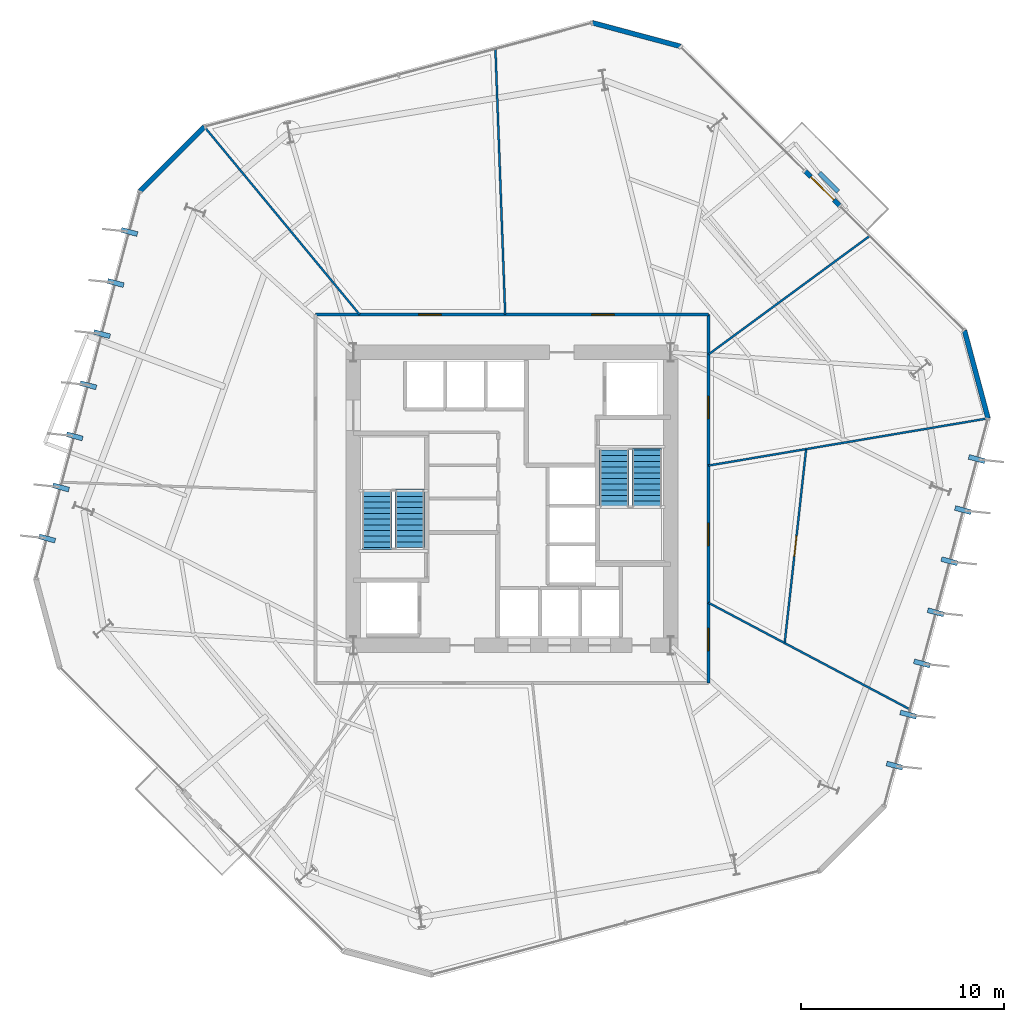
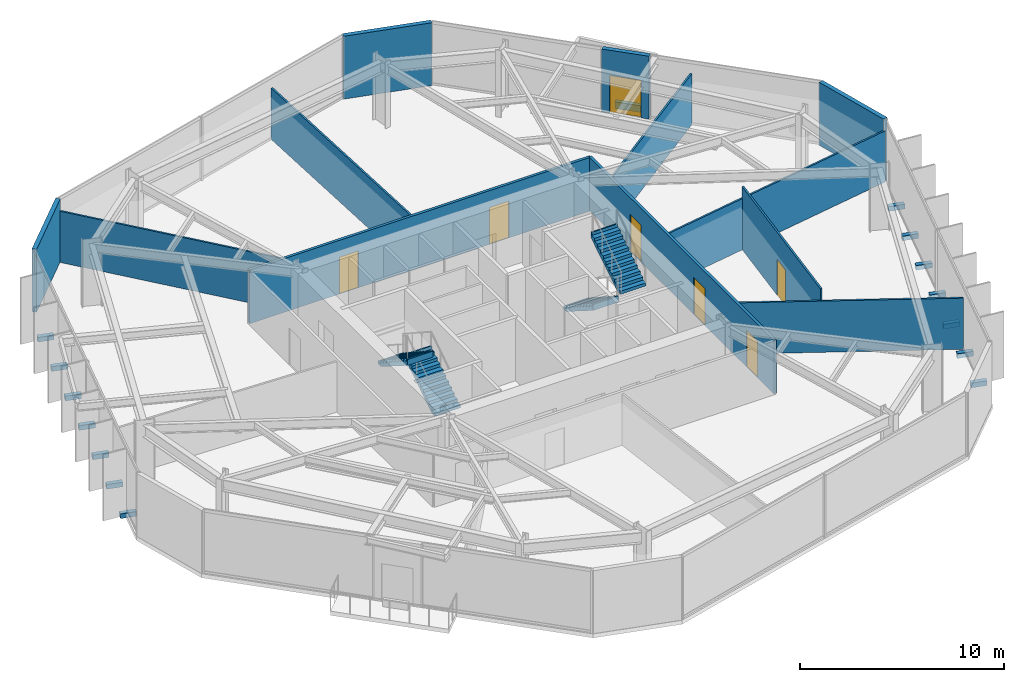
# One storey, part 7 of 10: 14 discrete accessories, 13 walls, 7 doors, 4 stair flights, 7 openings, 2 elements without a shape of their own.
"""IFC4 building model written with IfcOpenShell, lengths in metres."""

import ifcopenshell
import ifcopenshell.guid

model = None  # the IFC model being written
_history = None  # IfcOwnerHistory: only IFC2X3 demands one
_inside = {}  # id of a spatial element -> (the spatial element, [elements in it])
_under = {}  # id of a project, library or spatial element -> (it, [spatial elements below it])
_declared = {}  # id of a project -> (the project, [libraries it declares])
_typed = {}  # id of a type object -> (the type object, [elements of that type])
_made_of = {}  # id of a material, layer set ... -> (it, [elements and type objects made of it])


def new_model(schema):
    """Start an empty IFC model of exactly this schema.

    Asked for "IFC4X3", IfcOpenShell would pick the latest addendum, in which some entities
    have other attributes; the version numbers below select the first issue.
    IFC2X3 requires an IfcOwnerHistory on every rooted entity: one is made here for all.
    """
    global model, _history
    if schema == "IFC4X3":
        model = ifcopenshell.file(schema_version=(4, 3, 0, 0))
    else:
        model = ifcopenshell.file(schema=schema)
    _inside.clear()
    _under.clear()
    _declared.clear()
    _typed.clear()
    _made_of.clear()
    _history = None
    if model.schema == "IFC2X3":
        org = make("IfcOrganization", Name="unknown")
        user = make(
            "IfcPersonAndOrganization",
            ThePerson=make("IfcPerson", FamilyName="unknown"),
            TheOrganization=org,
        )
        app = make(
            "IfcApplication",
            ApplicationDeveloper=org,
            Version="unknown",
            ApplicationFullName="unknown",
            ApplicationIdentifier="unknown",
        )
        _history = make(
            "IfcOwnerHistory",
            OwningUser=user,
            OwningApplication=app,
            ChangeAction="ADDED",
            CreationDate=0,
        )
    return model


def make(cls, **values):
    """One entity of the class cls with the attributes given. An attribute that is None is left unset."""
    return model.create_entity(
        cls, **{name: value for name, value in values.items() if value is not None}
    )


def rooted(cls, **values):
    """An entity with a GlobalId (a new one), such as an element, a storey or a relation."""
    return make(cls, GlobalId=ifcopenshell.guid.new(), OwnerHistory=_history, **values)


def si_unit(unit_type, name, prefix=None):
    """IfcSIUnit, for example si_unit("LENGTHUNIT", "METRE", prefix="MILLI")."""
    return make("IfcSIUnit", UnitType=unit_type, Prefix=prefix, Name=name)


def assignment(units):
    """IfcUnitAssignment: the units of a project."""
    return None if units is None else make("IfcUnitAssignment", Units=units)


def point(xyz):
    """IfcCartesianPoint."""
    return None if xyz is None else make("IfcCartesianPoint", Coordinates=xyz)


def direction(xyz):
    """IfcDirection."""
    return None if xyz is None else make("IfcDirection", DirectionRatios=xyz)


def frame(location, z_axis=None, x_axis=None):
    """IfcAxis2Placement3D, a coordinate frame: its origin and axes. An axis left out is left unset."""
    return make(
        "IfcAxis2Placement3D",
        Location=point(location),
        Axis=direction(z_axis),
        RefDirection=direction(x_axis),
    )


def frame_2d(location, x_axis=None):
    """IfcAxis2Placement2D, a coordinate frame in the plane: its origin and x axis."""
    return make(
        "IfcAxis2Placement2D", Location=point(location), RefDirection=direction(x_axis)
    )


def origin():
    """The frame at (0, 0, 0) with its axes left unset."""
    return frame((0.0, 0.0, 0.0))


def origin_2d():
    """The frame at (0, 0) in the plane with its x axis left unset."""
    return frame_2d((0.0, 0.0))


def place(relative_to, where):
    """IfcLocalPlacement: puts the frame where relative to a parent placement (None: the world)."""
    return make(
        "IfcLocalPlacement", PlacementRelTo=relative_to, RelativePlacement=where
    )


def context(
    kind, dimensions, precision=None, world=None, true_north=None, identifier=None
):
    """IfcGeometricRepresentationContext, for example the 3D "Model" context."""
    return make(
        "IfcGeometricRepresentationContext",
        ContextIdentifier=identifier,
        ContextType=kind,
        CoordinateSpaceDimension=dimensions,
        Precision=precision,
        WorldCoordinateSystem=world,
        TrueNorth=true_north,
    )


def subcontext(parent, identifier, kind, view, scale=None):
    """IfcGeometricRepresentationSubContext, for example "Body" below "Model"."""
    return make(
        "IfcGeometricRepresentationSubContext",
        ContextIdentifier=identifier,
        ContextType=kind,
        ParentContext=parent,
        TargetScale=scale,
        TargetView=view,
    )


def project(units=None, contexts=None):
    """IfcProject with its units and contexts."""
    return rooted(
        "IfcProject",
        Name="project",
        RepresentationContexts=contexts,
        UnitsInContext=assignment(units),
    )


def spatial(cls, under=None, at=None, **own):
    """A site, building, storey or space (cls), placed at a placement, below another one or the project."""
    s = rooted(cls, ObjectPlacement=at, **own)
    if under is not None:
        _under.setdefault(under.id(), (under, []))[1].append(s)
    return s


def polyline(points):
    """IfcPolyline through the points."""
    return make("IfcPolyline", Points=[point(p) for p in points])


def profile(cls, at=None, kind="AREA", **sizes):
    """A parametric profile (cls). Its sizes go by their IFC names, for example OverallWidth=200.0."""
    return make(cls, ProfileType=kind, Position=at, **sizes)


def rectangle(**sizes):
    """IfcRectangleProfileDef."""
    return profile("IfcRectangleProfileDef", **sizes)


def outline(outer, holes=None, kind="AREA"):
    """IfcArbitraryClosedProfileDef: a profile drawn as a closed curve; with holes, ...WithVoids."""
    if holes is None:
        return make("IfcArbitraryClosedProfileDef", ProfileType=kind, OuterCurve=outer)
    return make(
        "IfcArbitraryProfileDefWithVoids",
        ProfileType=kind,
        OuterCurve=outer,
        InnerCurves=holes,
    )


def extrude(swept, where, along, depth):
    """IfcExtrudedAreaSolid: the profile swept, set in the frame where, extruded along a direction by depth."""
    return make(
        "IfcExtrudedAreaSolid",
        SweptArea=swept,
        Position=where,
        ExtrudedDirection=direction(along),
        Depth=depth,
    )


def shape(context_of_items, identifier, shape_type, items):
    """IfcShapeRepresentation: the items that make up one representation, for example the "Body"."""
    return make(
        "IfcShapeRepresentation",
        ContextOfItems=context_of_items,
        RepresentationIdentifier=identifier,
        RepresentationType=shape_type,
        Items=items,
    )


def material(Name=None, Category=None):
    """IfcMaterial."""
    return make("IfcMaterial", Name=Name, Category=Category)


def layer(
    of_material, thickness, ventilated=None, Name=None, Category=None, Priority=None
):
    """IfcMaterialLayer: one layer of a wall or slab, of a material (None: an air gap)."""
    return make(
        "IfcMaterialLayer",
        Material=of_material,
        LayerThickness=thickness,
        IsVentilated=ventilated,
        Name=Name,
        Category=Category,
        Priority=Priority,
    )


def layer_set(layers, Name=None):
    """IfcMaterialLayerSet."""
    return make("IfcMaterialLayerSet", MaterialLayers=layers, LayerSetName=Name)


def made_of(thing, what):
    """Note that an element or type object is made of a material, layer set ...; save() writes the relation."""
    if what is not None:
        _made_of.setdefault(what.id(), (what, []))[1].append(thing)
    return thing


def type_object(cls, material=None, **own):
    """A type object (cls), such as IfcWallType, which elements share."""
    return made_of(rooted(cls, **own), material)


def element(
    cls,
    number,
    at=None,
    inside=None,
    cuts=None,
    type_object=None,
    material=None,
    context=None,
    identifier="Body",
    shape_type=None,
    held_by="IfcProductDefinitionShape",
    body=None,
    shapes=None,
    **own,
):
    """One element of the class cls, such as IfcWall. Its Tag is "e" and its number.

    at: its placement. inside: the storey or other place that contains it. cuts: it is an
    opening in that element (IfcRelVoidsElement). A single representation is given by context,
    identifier, shape_type and body (its items); several are given by shapes. held_by: the class
    of the entity that holds the representations. save() writes the other relations.
    """
    e = rooted(cls, Tag="e%d" % number, ObjectPlacement=at, **own)
    if body is not None:
        shapes = [shape(context, identifier, shape_type, body)]
    if shapes is not None:
        e.Representation = make(held_by, Representations=shapes)
    if inside is not None:
        _inside.setdefault(inside.id(), (inside, []))[1].append(e)
    if cuts is not None:
        rooted(
            "IfcRelVoidsElement", RelatingBuildingElement=cuts, RelatedOpeningElement=e
        )
    if type_object is not None:
        _typed.setdefault(type_object.id(), (type_object, []))[1].append(e)
    return made_of(e, material)


def fill(opening, filler):
    """IfcRelFillsElement: the door or window that sits in an opening."""
    return rooted(
        "IfcRelFillsElement",
        RelatingOpeningElement=opening,
        RelatedBuildingElement=filler,
    )


def aggregate(whole, parts):
    """IfcRelAggregates: a whole, such as a stair, and the parts it consists of."""
    return rooted("IfcRelAggregates", RelatingObject=whole, RelatedObjects=parts)


def save(model, path):
    """Write the relations noted so far, then the file.

    IfcRelAggregates (storeys below a building ...), IfcRelContainedInSpatialStructure (elements
    in a storey), IfcRelDefinesByType, IfcRelAssociatesMaterial and IfcRelDeclares: one each for
    every whole, place, type object, material and project.
    """
    for whole, parts in _under.values():
        aggregate(whole, parts)
    for where, things in _inside.values():
        rooted(
            "IfcRelContainedInSpatialStructure",
            RelatedElements=things,
            RelatingStructure=where,
        )
    for kind, things in _typed.values():
        rooted("IfcRelDefinesByType", RelatedObjects=things, RelatingType=kind)
    for what, things in _made_of.values():
        rooted("IfcRelAssociatesMaterial", RelatedObjects=things, RelatingMaterial=what)
    for by, libraries in _declared.values():
        rooted("IfcRelDeclares", RelatingContext=by, RelatedDefinitions=libraries)
    model.write(path)


model = new_model("IFC4")

# Units and contexts
model_context = context("Model", 3, precision=1e-05, world=origin(), true_north=direction((0.0, 1.0)))
body_context = subcontext(model_context, "Body", "Model", "MODEL_VIEW")
ifc_project = project(units=[si_unit("LENGTHUNIT", "METRE"), si_unit("AREAUNIT", "SQUARE_METRE"), si_unit("VOLUMEUNIT", "CUBIC_METRE"), si_unit("PLANEANGLEUNIT", "RADIAN"), si_unit("MASSUNIT", "GRAM", prefix="KILO")], contexts=[model_context])

# Site, building, storey
site_placement = place(None, origin())
site = spatial("IfcSite", under=ifc_project, at=site_placement, CompositionType="ELEMENT")
building_placement = place(site_placement, origin())
building = spatial("IfcBuilding", under=site, at=building_placement, Name="Kranzbogen Civic Tower", CompositionType="ELEMENT")
storey_placement = place(building_placement, frame((0.0, 0.0, 80.0)))
storey = spatial("IfcBuildingStorey", under=building, at=storey_placement, Name="L19", CompositionType="ELEMENT", Elevation=80.0)

# Wall, openings, doors
ifc_material_1 = material(Name="Double-Stud Acoustic Gypsum Partition")
ifc_layer_1 = layer(ifc_material_1, 0.14990234375, Name="Double-Stud Acoustic Gypsum Partition")
ifc_layer_set_1 = layer_set([ifc_layer_1], Name="Double-Stud Acoustic Gypsum Partition")
wall_type_1 = type_object("IfcWallType", Name="Acoustic Corridor and Clinical Partition 150 mm", PredefinedType="PARTITIONING", material=ifc_layer_set_1)
wall_1_placement = place(storey_placement, frame((15.35009765625, 34.050048828125, 0.0), z_axis=(0.0, 0.0, 1.0), x_axis=(1.0, 0.0, 0.0)))
wall_1 = element("IfcWall", 1, at=wall_1_placement, inside=storey, type_object=wall_type_1, Name="L19 corridor partition 01", PredefinedType="PARTITIONING", context=body_context, shape_type="SweptSolid", body=[
    extrude(rectangle(XDim=19.2998046875, YDim=0.14990234375, at=frame_2d((9.64990234375, 0.0))), origin(), (0.0, 0.0, 1.0), 3.2099609375),
])
opening_1_placement = place(wall_1_placement, frame((13.572998046875, 0.0, 0.0)))
opening_1 = element("IfcOpeningElement", 2, at=opening_1_placement, cuts=wall_1, Name="Opening D-COR60", PredefinedType="OPENING", context=body_context, shape_type="SweptSolid", body=[
    extrude(rectangle(XDim=1.10009765625, YDim=2.199951171875, at=frame_2d((0.550048828125, 1.10009765625))), frame((0.0, 0.0849609375, 0.0), z_axis=(0.0, -1.0, 0.0), x_axis=(1.0, 0.0, 0.0)), (0.0, 0.0, 1.0), 0.169921875),
])
opening_2_placement = place(wall_1_placement, frame((5.06591796875, 0.0, 0.0)))
opening_2 = element("IfcOpeningElement", 3, at=opening_2_placement, cuts=wall_1, Name="Opening D-COR60", PredefinedType="OPENING", context=body_context, shape_type="SweptSolid", body=[
    extrude(rectangle(XDim=1.10009765625, YDim=2.199951171875, at=frame_2d((0.550048828125, 1.10009765625))), frame((0.0, 0.0849609375, 0.0), z_axis=(0.0, -1.0, 0.0), x_axis=(1.0, 0.0, 0.0)), (0.0, 0.0, 1.0), 0.169921875),
])
ifc_material_2 = material(Name="Oak Timber and Fire Core", Category="wood")
door_type_1 = type_object("IfcDoorType", Name="Corridor Acoustic Fire Door 1100x2200", OperationType="NOTDEFINED", PredefinedType="DOOR", material=ifc_material_2)
door_1_placement = place(opening_1_placement, origin())
door_1 = element("IfcDoor", 4, at=door_1_placement, inside=storey, type_object=door_type_1, Name="L19 Executive Briefing Conference Room door", OperationType="SINGLE_SWING_LEFT", OverallHeight=2.199951171875, OverallWidth=1.10009765625, PredefinedType="DOOR", context=body_context, shape_type="SweptSolid", body=[
    extrude(rectangle(XDim=1.10009765625, YDim=2.199951171875, at=frame_2d((0.550048828125, 1.10009765625))), frame((0.0, 0.02490234375, 0.0), z_axis=(0.0, -1.0, 0.0), x_axis=(1.0, 0.0, 0.0)), (0.0, 0.0, 1.0), 0.050048828125),
])
fill(opening_1, door_1)
door_2_placement = place(opening_2_placement, origin())
door_2 = element("IfcDoor", 5, at=door_2_placement, inside=storey, type_object=door_type_1, Name="L19 Civic Reference Library door", OperationType="SINGLE_SWING_RIGHT", OverallHeight=2.199951171875, OverallWidth=1.10009765625, PredefinedType="DOOR", context=body_context, shape_type="SweptSolid", body=[
    extrude(rectangle(XDim=1.10009765625, YDim=2.199951171875, at=frame_2d((0.550048828125, 1.10009765625))), frame((0.0, 0.02490234375, 0.0), z_axis=(0.0, -1.0, 0.0), x_axis=(1.0, 0.0, 0.0)), (0.0, 0.0, 1.0), 0.050048828125),
])
fill(opening_2, door_2)

wall_2_placement = place(storey_placement, frame((34.64990234375, 34.050048828125, 0.0), z_axis=(0.0, 0.0, 1.0), x_axis=(0.0, -1.0, 0.0)))
wall_2 = element("IfcWall", 6, at=wall_2_placement, inside=storey, type_object=wall_type_1, Name="L19 corridor partition 02", PredefinedType="PARTITIONING", context=body_context, shape_type="SweptSolid", body=[
    extrude(rectangle(XDim=18.10009765625, YDim=0.14990234375, at=frame_2d((9.050048828125, 0.0))), origin(), (0.0, 0.0, 1.0), 3.2099609375),
])
opening_3_placement = place(wall_2_placement, frame((15.416015625, 0.0, 0.0)))
opening_3 = element("IfcOpeningElement", 7, at=opening_3_placement, cuts=wall_2, Name="Opening D-COR60", PredefinedType="OPENING", context=body_context, shape_type="SweptSolid", body=[
    extrude(rectangle(XDim=1.10009765625, YDim=2.199951171875, at=frame_2d((0.550048828125, 1.10009765625))), frame((0.0, 0.0849609375, 0.0), z_axis=(0.0, -1.0, 0.0), x_axis=(1.0, 0.0, 0.0)), (0.0, 0.0, 1.0), 0.169921875),
])
opening_4_placement = place(wall_2_placement, frame((10.2509765625, 0.0, 0.0)))
opening_4 = element("IfcOpeningElement", 8, at=opening_4_placement, cuts=wall_2, Name="Opening D-COR60", PredefinedType="OPENING", context=body_context, shape_type="SweptSolid", body=[
    extrude(rectangle(XDim=1.10009765625, YDim=2.199951171875, at=frame_2d((0.550048828125, 1.10009765625))), frame((0.0, 0.0849609375, 0.0), z_axis=(0.0, -1.0, 0.0), x_axis=(1.0, 0.0, 0.0)), (0.0, 0.0, 1.0), 0.169921875),
])
opening_5_placement = place(wall_2_placement, frame((4.013916015625, 0.0, 0.0)))
opening_5 = element("IfcOpeningElement", 9, at=opening_5_placement, cuts=wall_2, Name="Opening D-COR60", PredefinedType="OPENING", context=body_context, shape_type="SweptSolid", body=[
    extrude(rectangle(XDim=1.10009765625, YDim=2.199951171875, at=frame_2d((0.550048828125, 1.10009765625))), frame((0.0, 0.0849609375, 0.0), z_axis=(0.0, -1.0, 0.0), x_axis=(1.0, 0.0, 0.0)), (0.0, 0.0, 1.0), 0.169921875),
])
door_3_placement = place(opening_3_placement, origin())
door_3 = element("IfcDoor", 10, at=door_3_placement, inside=storey, type_object=door_type_1, Name="L19 Legal Counsel Office door", OperationType="SINGLE_SWING_LEFT", OverallHeight=2.199951171875, OverallWidth=1.10009765625, PredefinedType="DOOR", context=body_context, shape_type="SweptSolid", body=[
    extrude(rectangle(XDim=1.10009765625, YDim=2.199951171875, at=frame_2d((0.550048828125, 1.10009765625))), frame((0.0, 0.02490234375, 0.0), z_axis=(0.0, -1.0, 0.0), x_axis=(1.0, 0.0, 0.0)), (0.0, 0.0, 1.0), 0.050048828125),
])
fill(opening_3, door_3)
door_4_placement = place(opening_4_placement, origin())
door_4 = element("IfcDoor", 11, at=door_4_placement, inside=storey, type_object=door_type_1, Name="L19 Operations Security Control Room door", OperationType="SINGLE_SWING_RIGHT", OverallHeight=2.199951171875, OverallWidth=1.10009765625, PredefinedType="DOOR", context=body_context, shape_type="SweptSolid", body=[
    extrude(rectangle(XDim=1.10009765625, YDim=2.199951171875, at=frame_2d((0.550048828125, 1.10009765625))), frame((0.0, 0.02490234375, 0.0), z_axis=(0.0, -1.0, 0.0), x_axis=(1.0, 0.0, 0.0)), (0.0, 0.0, 1.0), 0.050048828125),
])
fill(opening_4, door_4)
door_5_placement = place(opening_5_placement, origin())
door_5 = element("IfcDoor", 12, at=door_5_placement, inside=storey, type_object=door_type_1, Name="L19 Duty Crew Control Room door", OperationType="SINGLE_SWING_RIGHT", OverallHeight=2.199951171875, OverallWidth=1.10009765625, PredefinedType="DOOR", context=body_context, shape_type="SweptSolid", body=[
    extrude(rectangle(XDim=1.10009765625, YDim=2.199951171875, at=frame_2d((0.550048828125, 1.10009765625))), frame((0.0, 0.02490234375, 0.0), z_axis=(0.0, -1.0, 0.0), x_axis=(1.0, 0.0, 0.0)), (0.0, 0.0, 1.0), 0.050048828125),
])
fill(opening_5, door_5)

# Walls
ifc_material_3 = material(Name="Architectural Precast Terracotta Concrete C40/50", Category="masonry")
ifc_layer_2 = layer(ifc_material_3, 0.219970703125, Name="Architectural Precast Terracotta Concrete C40/50")
ifc_layer_set_2 = layer_set([ifc_layer_2], Name="Architectural Precast Terracotta Concrete C40/50")
wall_type_2 = type_object("IfcWallType", Name="Architectural Tree Planter Kerb Wall 220 mm", PredefinedType="USERDEFINED", material=ifc_layer_set_2)
wall_3_placement = place(storey_placement, frame((41.02001953125, 40.10009765625, 0.0), z_axis=(0.0, 0.0, 1.0), x_axis=(-0.707106781187, 0.707106781187, 0.0)))
element("IfcWall", 13, at=wall_3_placement, inside=storey, type_object=wall_type_2, Name="L19 landscaped tree balcony planter L19-TB1", ObjectType="PLANTER_WALL", PredefinedType="USERDEFINED", context=body_context, shape_type="SweptSolid", body=[
    extrude(rectangle(XDim=1.301025390625, YDim=0.219970703125, at=frame_2d((0.650390625, 0.0))), origin(), (0.0, 0.0, 1.0), 0.39990234375),
])
ifc_material_4 = material(Name="Demountable Aluminium and Gypsum Partition", Category="aluminium")
ifc_layer_3 = layer(ifc_material_4, 0.10009765625, Name="Demountable Aluminium and Gypsum Partition")
ifc_layer_set_3 = layer_set([ifc_layer_3], Name="Demountable Aluminium and Gypsum Partition")
wall_type_3 = type_object("IfcWallType", Name="Demountable Office Partition 100 mm", PredefinedType="MOVABLE", material=ifc_layer_set_3)
wall_4_placement = place(storey_placement, frame((34.64990234375, 32.091064453125, 0.0), z_axis=(0.0, 0.0, 1.0), x_axis=(0.805812397502, 0.592170904412, 0.0)))
element("IfcWall", 14, at=wall_4_placement, inside=storey, type_object=wall_type_3, Name="L19 radial room partition 01", PredefinedType="MOVABLE", context=body_context, shape_type="SweptSolid", body=[
    extrude(rectangle(XDim=9.830078125, YDim=0.10009765625, at=frame_2d((4.9150390625, 0.0))), origin(), (0.0, 0.0, 1.0), 3.050048828125),
])
wall_5_placement = place(storey_placement, frame((24.666015625, 34.050048828125, 0.0), z_axis=(0.0, 0.0, 1.0), x_axis=(-0.03683875017, 0.999321222874, 0.0)))
element("IfcWall", 15, at=wall_5_placement, inside=storey, type_object=wall_type_3, Name="L19 radial room partition 02", PredefinedType="MOVABLE", context=body_context, shape_type="SweptSolid", body=[
    extrude(rectangle(XDim=13.0556640625, YDim=0.10009765625, at=frame_2d((6.52783203125, 0.0))), origin(), (0.0, 0.0, 1.0), 3.06005859375),
])
wall_6_placement = place(storey_placement, frame((17.51611328125, 34.050048828125, 0.0), z_axis=(0.0, 0.0, 1.0), x_axis=(-0.637278580746, 0.770633512457, 0.0)))
element("IfcWall", 16, at=wall_6_placement, inside=storey, type_object=wall_type_3, Name="L19 radial room partition 03", PredefinedType="MOVABLE", context=body_context, shape_type="SweptSolid", body=[
    extrude(rectangle(XDim=11.96044921875, YDim=0.10009765625, at=frame_2d((5.980224609375, 0.0))), origin(), (0.0, 0.0, 1.0), 3.06005859375),
])
wall_7_placement = place(storey_placement, frame((34.64990234375, 19.89306640625, 0.0), z_axis=(0.0, 0.0, 1.0), x_axis=(0.883895590045, -0.467684280149, 0.0)))
element("IfcWall", 17, at=wall_7_placement, inside=storey, type_object=wall_type_3, Name="L19 radial room partition 07", PredefinedType="MOVABLE", context=body_context, shape_type="SweptSolid", body=[
    extrude(rectangle(XDim=11.193603515625, YDim=0.10009765625, at=frame_2d((5.5966796875, 0.0))), origin(), (0.0, 0.0, 1.0), 3.06005859375),
])
wall_8_placement = place(storey_placement, frame((34.64990234375, 26.631103515625, 0.0), z_axis=(0.0, 0.0, 1.0), x_axis=(0.986036061015, 0.16653193801, 0.0)))
element("IfcWall", 18, at=wall_8_placement, inside=storey, type_object=wall_type_3, Name="L19 radial room partition 08", PredefinedType="MOVABLE", context=body_context, shape_type="SweptSolid", body=[
    extrude(rectangle(XDim=13.91845703125, YDim=0.10009765625, at=frame_2d((6.959228515625, 0.0))), origin(), (0.0, 0.0, 1.0), 3.06005859375),
])

# Wall, opening, door
wall_9_placement = place(storey_placement, frame((38.403076171875, 17.924072265625, 0.0), z_axis=(0.0, 0.0, 1.0), x_axis=(0.110030740607, 0.99392818459, 0.0)))
wall_9 = element("IfcWall", 19, at=wall_9_placement, inside=storey, type_object=wall_type_3, Name="L19 suite chord partition 01", PredefinedType="MOVABLE", context=body_context, shape_type="SweptSolid", body=[
    extrude(rectangle(XDim=9.56103515625, YDim=0.10009765625, at=frame_2d((4.780517578125, 0.0))), origin(), (0.0, 0.0, 1.0), 3.760009765625),
])
opening_6_placement = place(wall_9_placement, frame((4.281005859375, 0.0, 0.0)))
opening_6 = element("IfcOpeningElement", 20, at=opening_6_placement, cuts=wall_9, Name="Opening D-OFC10", PredefinedType="OPENING", context=body_context, shape_type="SweptSolid", body=[
    extrude(rectangle(XDim=1.0, YDim=2.14990234375, at=frame_2d((0.5, 1.074951171875))), frame((0.0, 0.06005859375, 0.0), z_axis=(0.0, -1.0, 0.0), x_axis=(1.0, 0.0, 0.0)), (0.0, 0.0, 1.0), 0.1201171875),
])
ifc_material_5 = material(Name="Oak Timber Veneer", Category="wood")
door_type_2 = type_object("IfcDoorType", Name="Standard Office Acoustic Door 1000x2150", OperationType="NOTDEFINED", PredefinedType="DOOR", material=ifc_material_5)
door_6_placement = place(opening_6_placement, origin())
door_6 = element("IfcDoor", 21, at=door_6_placement, inside=storey, type_object=door_type_2, Name="L19 Central Mail Post Room door", OperationType="SINGLE_SWING_LEFT", OverallHeight=2.14990234375, OverallWidth=1.0, PredefinedType="DOOR", context=body_context, shape_type="SweptSolid", body=[
    extrude(rectangle(XDim=1.0, YDim=2.14990234375, at=frame_2d((0.5, 1.074951171875))), frame((0.0, 0.02490234375, 0.0), z_axis=(0.0, -1.0, 0.0), x_axis=(1.0, 0.0, 0.0)), (0.0, 0.0, 1.0), 0.050048828125),
])
fill(opening_6, door_6)

ifc_material_6 = material(Name="Pale Anodised Aluminium", Category="aluminium")
ifc_layer_4 = layer(ifc_material_6, 0.239990234375, Name="Pale Anodised Aluminium")
ifc_layer_set_4 = layer_set([ifc_layer_4], Name="Pale Anodised Aluminium")
wall_type_4 = type_object("IfcWallType", Name="Insulated Aluminium Facade Portal Wall 240 mm", PredefinedType="STANDARD", material=ifc_layer_set_4)
wall_10_placement = place(storey_placement, frame((41.10302734375, 39.405029296875, 0.0), z_axis=(0.0, 0.0, 1.0), x_axis=(-0.707106781187, 0.707106781187, 0.0)))
wall_10 = element("IfcWall", 22, at=wall_10_placement, inside=storey, type_object=wall_type_4, Name="L19 exterior entrance portal wall 1", PredefinedType="STANDARD", context=body_context, shape_type="SweptSolid", body=[
    extrude(rectangle(XDim=2.4013671875, YDim=0.239990234375, at=frame_2d((1.20068359375, 0.0))), origin(), (0.0, 0.0, 1.0), 3.760009765625),
])
opening_7_placement = place(wall_10_placement, frame((0.39990234375, 0.0, 0.0)))
opening_7 = element("IfcOpeningElement", 23, at=opening_7_placement, cuts=wall_10, Name="Opening D-TER", PredefinedType="OPENING", context=body_context, shape_type="SweptSolid", body=[
    extrude(rectangle(XDim=1.60009765625, YDim=2.25, at=frame_2d((0.800048828125, 1.125))), frame((0.0, 0.1298828125, 0.0), z_axis=(0.0, -1.0, 0.0), x_axis=(1.0, 0.0, 0.0)), (0.0, 0.0, 1.0), 0.260009765625),
])
ifc_material_7 = material(Name="Anodised Bronze and Triple Glass", Category="glass")
door_type_3 = type_object("IfcDoorType", Name="Glazed Terrace and Balcony Double Door 1600x2250", OperationType="DOUBLE_DOOR_SINGLE_SWING", PredefinedType="DOOR", material=ifc_material_7)
door_7_placement = place(opening_7_placement, frame((1.60009765625, 0.0, 0.0), z_axis=(0.0, 0.0, 1.0), x_axis=(-1.0, 0.0, 0.0)))
door_7 = element("IfcDoor", 24, at=door_7_placement, inside=storey, type_object=door_type_3, Name="L19 tree balcony access door L19-TB1", OperationType="DOUBLE_DOOR_SINGLE_SWING", OverallHeight=2.25, OverallWidth=1.60009765625, PredefinedType="DOOR", context=body_context, shape_type="SweptSolid", body=[
    extrude(rectangle(XDim=1.60009765625, YDim=2.25, at=frame_2d((0.800048828125, 1.125))), frame((0.0, 0.02490234375, 0.0), z_axis=(0.0, -1.0, 0.0), x_axis=(1.0, 0.0, 0.0)), (0.0, 0.0, 1.0), 0.050048828125),
])
fill(opening_7, door_7)

# Walls
wall_11_placement = place(storey_placement, frame((33.27294921875, 47.235107421875, 0.0), z_axis=(0.0, 0.0, 1.0), x_axis=(-0.965903455427, 0.258902519869, 0.0)))
element("IfcWall", 25, at=wall_11_placement, inside=storey, type_object=wall_type_4, Name="L19 chamfered corner facade spandrel 1", PredefinedType="STANDARD", context=body_context, shape_type="SweptSolid", body=[
    extrude(rectangle(XDim=4.47265625, YDim=0.239990234375, at=frame_2d((2.236328125, 0.0))), origin(), (0.0, 0.0, 1.0), 3.760009765625),
])
wall_12_placement = place(storey_placement, frame((9.881103515625, 43.281982421875, 0.0), z_axis=(0.0, 0.0, 1.0), x_axis=(-0.707106781187, -0.707106781187, 0.0)))
element("IfcWall", 26, at=wall_12_placement, inside=storey, type_object=wall_type_4, Name="L19 chamfered corner facade spandrel 2", PredefinedType="STANDARD", context=body_context, shape_type="SweptSolid", body=[
    extrude(rectangle(XDim=4.473388671875, YDim=0.239990234375, at=frame_2d((2.23681640625, 0.0))), origin(), (0.0, 0.0, 1.0), 3.760009765625),
])
wall_13_placement = place(storey_placement, frame((48.39306640625, 28.952880859375, 0.0), z_axis=(0.0, 0.0, 1.0), x_axis=(-0.258902519869, 0.965903455427, 0.0)))
element("IfcWall", 27, at=wall_13_placement, inside=storey, type_object=wall_type_4, Name="L19 chamfered corner facade spandrel 6", PredefinedType="STANDARD", context=body_context, shape_type="SweptSolid", body=[
    extrude(rectangle(XDim=4.47265625, YDim=0.239990234375, at=frame_2d((2.236328125, 0.0))), origin(), (0.0, 0.0, 1.0), 3.760009765625),
])

# Stair, stair flights
ifc_material_8 = material(Name="Precast concrete C40/50", Category="concrete")
stair_type_1 = type_object("IfcStairType", Name="Tower Core Pressurized Dogleg Stair 1450", PredefinedType="HALF_TURN_STAIR", material=ifc_material_8)
stair_1_placement = place(storey_placement, origin())
stair_1 = element("IfcStair", 28, at=stair_1_placement, inside=storey, type_object=stair_type_1, Name="L19 Tower Core Pressurized Stair 1", PredefinedType="HALF_TURN_STAIR")
stair_flight_type = type_object("IfcStairFlightType", Name="Precast Concrete Stair Flight R180", PredefinedType="STRAIGHT", material=ifc_material_8)
stair_flight_1_placement = place(storey_placement, frame((19.97509765625, 22.60009765625, 0.0), z_axis=(0.0, 0.0, 1.0), x_axis=(0.0, 1.0, 0.0)))
stair_flight_1 = element("IfcStairFlight", 29, at=stair_flight_1_placement, type_object=stair_flight_type, Name="ST-T1 flight 1", NumberOfRisers=11, NumberOfTreads=10, PredefinedType="STRAIGHT", RiserHeight=0.181818182, TreadLength=0.28, context=body_context, shape_type="SweptSolid", body=[
    extrude(outline(polyline([(0.0, 0.0), (0.0, 0.181884765625), (0.280029296875, 0.181884765625), (0.280029296875, 0.363525390625), (0.56005859375, 0.363525390625), (0.56005859375, 0.54541015625), (0.840087890625, 0.54541015625), (0.840087890625, 0.727294921875), (1.1201171875, 0.727294921875), (1.1201171875, 0.9091796875), (1.39990234375, 0.9091796875), (1.39990234375, 1.0908203125), (1.679931640625, 1.0908203125), (1.679931640625, 1.272705078125), (1.9599609375, 1.272705078125), (1.9599609375, 1.45458984375), (2.239990234375, 1.45458984375), (2.239990234375, 1.636474609375), (2.52001953125, 1.636474609375), (2.52001953125, 1.818115234375), (2.800048828125, 1.818115234375), (2.800048828125, 2.0), (2.880126953125, 2.0), (2.880126953125, 1.639404296875), (0.275146484375, 0.0), (0.0, 0.0)])), frame((0.0, 0.72509765625, 0.0), z_axis=(0.0, -1.0, 0.0), x_axis=(1.0, 0.0, 0.0)), (0.0, 0.0, 1.0), 1.449951171875),
])
stair_flight_2_placement = place(storey_placement, frame((18.375, 25.39990234375, 2.0), z_axis=(0.0, 0.0, 1.0), x_axis=(0.0, -1.0, 0.0)))
stair_flight_2 = element("IfcStairFlight", 30, at=stair_flight_2_placement, type_object=stair_flight_type, Name="ST-T1 flight 2", NumberOfRisers=11, NumberOfTreads=10, PredefinedType="STRAIGHT", RiserHeight=0.181818182, TreadLength=0.28, context=body_context, shape_type="SweptSolid", body=[
    extrude(outline(polyline([(0.0, 0.0), (0.0, 0.181884765625), (0.280029296875, 0.181884765625), (0.280029296875, 0.363525390625), (0.56005859375, 0.363525390625), (0.56005859375, 0.54541015625), (0.840087890625, 0.54541015625), (0.840087890625, 0.727294921875), (1.1201171875, 0.727294921875), (1.1201171875, 0.9091796875), (1.39990234375, 0.9091796875), (1.39990234375, 1.0908203125), (1.679931640625, 1.0908203125), (1.679931640625, 1.272705078125), (1.9599609375, 1.272705078125), (1.9599609375, 1.45458984375), (2.239990234375, 1.45458984375), (2.239990234375, 1.636474609375), (2.52001953125, 1.636474609375), (2.52001953125, 1.818115234375), (2.800048828125, 1.818115234375), (2.800048828125, 2.0), (2.880126953125, 2.0), (2.880126953125, 1.639404296875), (0.275146484375, 0.0), (0.0, 0.0)])), frame((0.0, 0.72509765625, 0.0), z_axis=(0.0, -1.0, 0.0), x_axis=(1.0, 0.0, 0.0)), (0.0, 0.0, 1.0), 1.449951171875),
])
aggregate(stair_1, [stair_flight_1, stair_flight_2])

stair_type_2 = type_object("IfcStairType", Name="Tower Core Secondary Dogleg Stair 1450", PredefinedType="HALF_TURN_STAIR", material=ifc_material_8)
stair_2_placement = place(storey_placement, origin())
stair_2 = element("IfcStair", 31, at=stair_2_placement, inside=storey, type_object=stair_type_2, Name="L19 Tower Core Pressurized Stair 2", PredefinedType="HALF_TURN_STAIR")
stair_flight_3_placement = place(storey_placement, frame((30.02490234375, 27.39990234375, 0.0), z_axis=(0.0, 0.0, 1.0), x_axis=(0.0, -1.0, 0.0)))
stair_flight_3 = element("IfcStairFlight", 32, at=stair_flight_3_placement, type_object=stair_flight_type, Name="ST-T2 flight 1", NumberOfRisers=11, NumberOfTreads=10, PredefinedType="STRAIGHT", RiserHeight=0.181818182, TreadLength=0.28, context=body_context, shape_type="SweptSolid", body=[
    extrude(outline(polyline([(0.0, 0.0), (0.0, 0.181884765625), (0.280029296875, 0.181884765625), (0.280029296875, 0.363525390625), (0.56005859375, 0.363525390625), (0.56005859375, 0.54541015625), (0.840087890625, 0.54541015625), (0.840087890625, 0.727294921875), (1.1201171875, 0.727294921875), (1.1201171875, 0.9091796875), (1.39990234375, 0.9091796875), (1.39990234375, 1.0908203125), (1.679931640625, 1.0908203125), (1.679931640625, 1.272705078125), (1.9599609375, 1.272705078125), (1.9599609375, 1.45458984375), (2.239990234375, 1.45458984375), (2.239990234375, 1.636474609375), (2.52001953125, 1.636474609375), (2.52001953125, 1.818115234375), (2.800048828125, 1.818115234375), (2.800048828125, 2.0), (2.880126953125, 2.0), (2.880126953125, 1.639404296875), (0.275146484375, 0.0), (0.0, 0.0)])), frame((0.0, 0.72509765625, 0.0), z_axis=(0.0, -1.0, 0.0), x_axis=(1.0, 0.0, 0.0)), (0.0, 0.0, 1.0), 1.449951171875),
])
stair_flight_4_placement = place(storey_placement, frame((31.625, 24.60009765625, 2.0), z_axis=(0.0, 0.0, 1.0), x_axis=(0.0, 1.0, 0.0)))
stair_flight_4 = element("IfcStairFlight", 33, at=stair_flight_4_placement, type_object=stair_flight_type, Name="ST-T2 flight 2", NumberOfRisers=11, NumberOfTreads=10, PredefinedType="STRAIGHT", RiserHeight=0.181818182, TreadLength=0.28, context=body_context, shape_type="SweptSolid", body=[
    extrude(outline(polyline([(0.0, 0.0), (0.0, 0.181884765625), (0.280029296875, 0.181884765625), (0.280029296875, 0.363525390625), (0.56005859375, 0.363525390625), (0.56005859375, 0.54541015625), (0.840087890625, 0.54541015625), (0.840087890625, 0.727294921875), (1.1201171875, 0.727294921875), (1.1201171875, 0.9091796875), (1.39990234375, 0.9091796875), (1.39990234375, 1.0908203125), (1.679931640625, 1.0908203125), (1.679931640625, 1.272705078125), (1.9599609375, 1.272705078125), (1.9599609375, 1.45458984375), (2.239990234375, 1.45458984375), (2.239990234375, 1.636474609375), (2.52001953125, 1.636474609375), (2.52001953125, 1.818115234375), (2.800048828125, 1.818115234375), (2.800048828125, 2.0), (2.880126953125, 2.0), (2.880126953125, 1.639404296875), (0.275146484375, 0.0), (0.0, 0.0)])), frame((0.0, 0.72509765625, 0.0), z_axis=(0.0, -1.0, 0.0), x_axis=(1.0, 0.0, 0.0)), (0.0, 0.0, 1.0), 1.449951171875),
])
aggregate(stair_2, [stair_flight_3, stair_flight_4])

# Discrete accessories
ifc_material_9 = material(Name="Steel S355", Category="steel")
discrete_accessory_type = type_object("IfcDiscreteAccessoryType", Name="Structural Curtain-Wall Fin Support Bracket", PredefinedType="BRACKET", material=ifc_material_9)
for number, where, z_axis, x_axis, name in (
    (34, (6.194091796875, 38.114013671875, -0.25), (0.0, 0.0, 1.0), (-0.965925826289, 0.258819045103, 0.0), "L19 facade fin support bracket F3-1"),
    (35, (5.52099609375, 35.60302734375, -0.25), (0.0, 0.0, 1.0), (-0.965925826289, 0.258819045103, 0.0), "L19 facade fin support bracket F3-2"),
    (36, (4.847900390625, 33.091064453125, -0.25), (0.0, 0.0, 1.0), (-0.965925826289, 0.258819045103, 0.0), "L19 facade fin support bracket F3-3"),
    (37, (4.175048828125, 30.580078125, -0.25), (0.0, 0.0, 1.0), (-0.965925826289, 0.258819045103, 0.0), "L19 facade fin support bracket F3-4"),
    (38, (3.501953125, 28.068115234375, -0.25), (0.0, 0.0, 1.0), (-0.965925826289, 0.258819045103, 0.0), "L19 facade fin support bracket F3-5"),
    (39, (2.8291015625, 25.556884765625, -0.25), (0.0, 0.0, 1.0), (-0.965925826289, 0.258819045103, 0.0), "L19 facade fin support bracket F3-6"),
    (40, (2.156005859375, 23.0458984375, -0.25), (0.0, 0.0, 1.0), (-0.965925826289, 0.258819045103, 0.0), "L19 facade fin support bracket F3-7"),
    (41, (43.805908203125, 11.885986328125, -0.25), (0.0, 0.0, 1.0), (0.965925826289, -0.258819045103, 0.0), "L19 facade fin support bracket F6-1"),
    (42, (44.47900390625, 14.39697265625, -0.25), (0.0, 0.0, 1.0), (0.965925826289, -0.258819045103, 0.0), "L19 facade fin support bracket F6-2"),
    (43, (45.152099609375, 16.908935546875, -0.25), (0.0, 0.0, 1.0), (0.965925826289, -0.258819045103, 0.0), "L19 facade fin support bracket F6-3"),
    (44, (45.824951171875, 19.419921875, -0.25), (0.0, 0.0, 1.0), (0.965925826289, -0.258819045103, 0.0), "L19 facade fin support bracket F6-4"),
    (45, (46.498046875, 21.931884765625, -0.25), (0.0, 0.0, 1.0), (0.965925826289, -0.258819045103, 0.0), "L19 facade fin support bracket F6-5"),
    (46, (47.1708984375, 24.443115234375, -0.25), (0.0, 0.0, 1.0), (0.965925826289, -0.258819045103, 0.0), "L19 facade fin support bracket F6-6"),
    (47, (47.843994140625, 26.9541015625, -0.25), (0.0, 0.0, 1.0), (0.965925826289, -0.258819045103, 0.0), "L19 facade fin support bracket F6-7"),
):
    element("IfcDiscreteAccessory", number, at=place(storey_placement, frame(where, z_axis=z_axis, x_axis=x_axis)), inside=storey, type_object=discrete_accessory_type, Name=name, PredefinedType="BRACKET", context=body_context, shape_type="SweptSolid", body=[
        extrude(rectangle(XDim=0.820068359375, YDim=0.239990234375, at=origin_2d()), origin(), (0.0, 0.0, 1.0), 0.280029296875),
    ])

save(model, "model.ifc")
